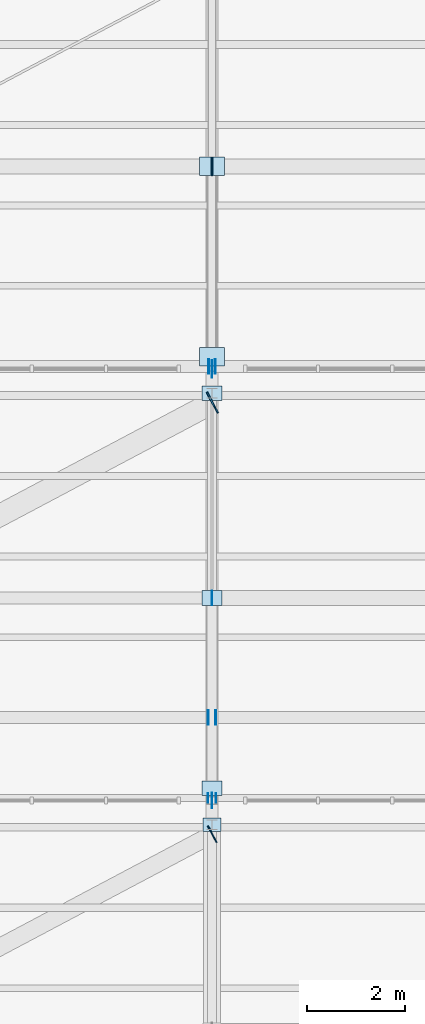
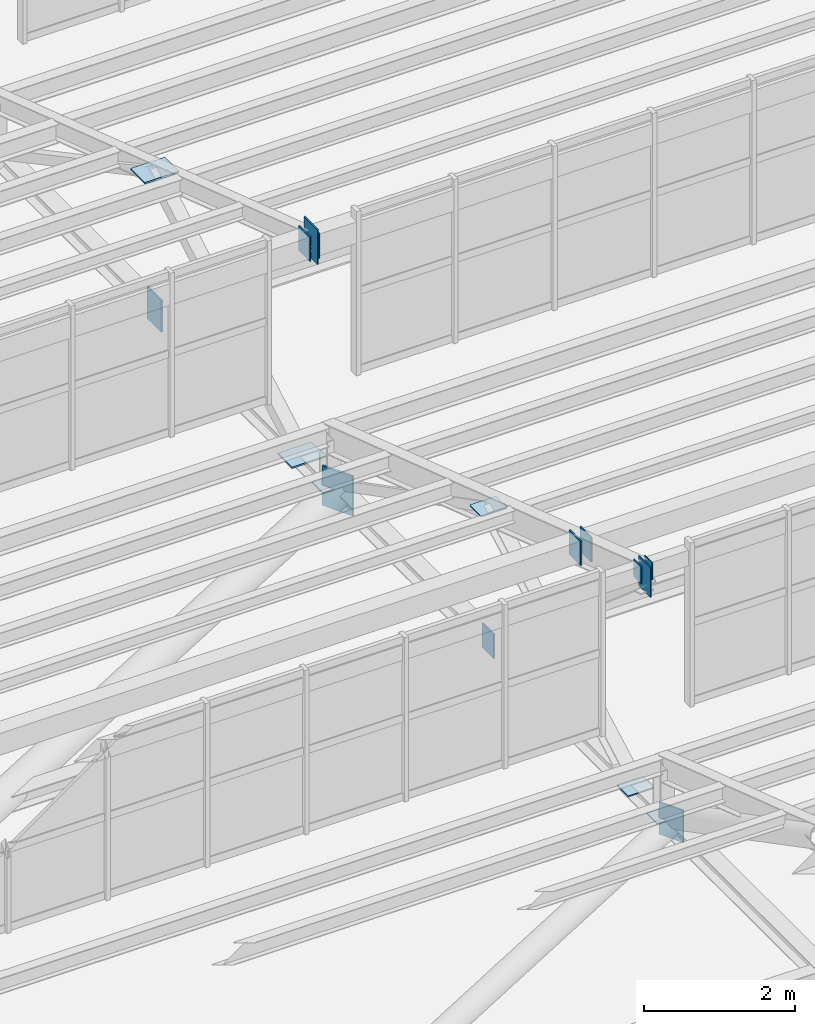
# One storey, part 195 of 285: 18 plates.
"""IFC4 building model written with IfcOpenShell, lengths in metres."""

import ifcopenshell
import ifcopenshell.guid

model = None  # the IFC model being written
_history = None  # IfcOwnerHistory: only IFC2X3 demands one
_inside = {}  # id of a spatial element -> (the spatial element, [elements in it])
_under = {}  # id of a project, library or spatial element -> (it, [spatial elements below it])
_declared = {}  # id of a project -> (the project, [libraries it declares])
_typed = {}  # id of a type object -> (the type object, [elements of that type])
_made_of = {}  # id of a material, layer set ... -> (it, [elements and type objects made of it])


def new_model(schema):
    """Start an empty IFC model of exactly this schema.

    Asked for "IFC4X3", IfcOpenShell would pick the latest addendum, in which some entities
    have other attributes; the version numbers below select the first issue.
    IFC2X3 requires an IfcOwnerHistory on every rooted entity: one is made here for all.
    """
    global model, _history
    if schema == "IFC4X3":
        model = ifcopenshell.file(schema_version=(4, 3, 0, 0))
    else:
        model = ifcopenshell.file(schema=schema)
    _inside.clear()
    _under.clear()
    _declared.clear()
    _typed.clear()
    _made_of.clear()
    _history = None
    if model.schema == "IFC2X3":
        org = make("IfcOrganization", Name="unknown")
        user = make(
            "IfcPersonAndOrganization",
            ThePerson=make("IfcPerson", FamilyName="unknown"),
            TheOrganization=org,
        )
        app = make(
            "IfcApplication",
            ApplicationDeveloper=org,
            Version="unknown",
            ApplicationFullName="unknown",
            ApplicationIdentifier="unknown",
        )
        _history = make(
            "IfcOwnerHistory",
            OwningUser=user,
            OwningApplication=app,
            ChangeAction="ADDED",
            CreationDate=0,
        )
    return model


def make(cls, **values):
    """One entity of the class cls with the attributes given. An attribute that is None is left unset."""
    return model.create_entity(
        cls, **{name: value for name, value in values.items() if value is not None}
    )


def rooted(cls, **values):
    """An entity with a GlobalId (a new one), such as an element, a storey or a relation."""
    return make(cls, GlobalId=ifcopenshell.guid.new(), OwnerHistory=_history, **values)


def si_unit(unit_type, name, prefix=None):
    """IfcSIUnit, for example si_unit("LENGTHUNIT", "METRE", prefix="MILLI")."""
    return make("IfcSIUnit", UnitType=unit_type, Prefix=prefix, Name=name)


def assignment(units):
    """IfcUnitAssignment: the units of a project."""
    return None if units is None else make("IfcUnitAssignment", Units=units)


def point(xyz):
    """IfcCartesianPoint."""
    return None if xyz is None else make("IfcCartesianPoint", Coordinates=xyz)


def direction(xyz):
    """IfcDirection."""
    return None if xyz is None else make("IfcDirection", DirectionRatios=xyz)


def frame(location, z_axis=None, x_axis=None):
    """IfcAxis2Placement3D, a coordinate frame: its origin and axes. An axis left out is left unset."""
    return make(
        "IfcAxis2Placement3D",
        Location=point(location),
        Axis=direction(z_axis),
        RefDirection=direction(x_axis),
    )


def frame_2d(location, x_axis=None):
    """IfcAxis2Placement2D, a coordinate frame in the plane: its origin and x axis."""
    return make(
        "IfcAxis2Placement2D", Location=point(location), RefDirection=direction(x_axis)
    )


def origin():
    """The frame at (0, 0, 0) with its axes left unset."""
    return frame((0.0, 0.0, 0.0))


def origin_2d():
    """The frame at (0, 0) in the plane with its x axis left unset."""
    return frame_2d((0.0, 0.0))


def place(relative_to, where):
    """IfcLocalPlacement: puts the frame where relative to a parent placement (None: the world)."""
    return make(
        "IfcLocalPlacement", PlacementRelTo=relative_to, RelativePlacement=where
    )


def context(
    kind, dimensions, precision=None, world=None, true_north=None, identifier=None
):
    """IfcGeometricRepresentationContext, for example the 3D "Model" context."""
    return make(
        "IfcGeometricRepresentationContext",
        ContextIdentifier=identifier,
        ContextType=kind,
        CoordinateSpaceDimension=dimensions,
        Precision=precision,
        WorldCoordinateSystem=world,
        TrueNorth=true_north,
    )


def subcontext(parent, identifier, kind, view, scale=None):
    """IfcGeometricRepresentationSubContext, for example "Body" below "Model"."""
    return make(
        "IfcGeometricRepresentationSubContext",
        ContextIdentifier=identifier,
        ContextType=kind,
        ParentContext=parent,
        TargetScale=scale,
        TargetView=view,
    )


def project(units=None, contexts=None):
    """IfcProject with its units and contexts."""
    return rooted(
        "IfcProject",
        Name="project",
        RepresentationContexts=contexts,
        UnitsInContext=assignment(units),
    )


def spatial(cls, under=None, at=None, **own):
    """A site, building, storey or space (cls), placed at a placement, below another one or the project."""
    s = rooted(cls, ObjectPlacement=at, **own)
    if under is not None:
        _under.setdefault(under.id(), (under, []))[1].append(s)
    return s


def profile(cls, at=None, kind="AREA", **sizes):
    """A parametric profile (cls). Its sizes go by their IFC names, for example OverallWidth=200.0."""
    return make(cls, ProfileType=kind, Position=at, **sizes)


def rectangle(**sizes):
    """IfcRectangleProfileDef."""
    return profile("IfcRectangleProfileDef", **sizes)


def extrude(swept, where, along, depth):
    """IfcExtrudedAreaSolid: the profile swept, set in the frame where, extruded along a direction by depth."""
    return make(
        "IfcExtrudedAreaSolid",
        SweptArea=swept,
        Position=where,
        ExtrudedDirection=direction(along),
        Depth=depth,
    )


def shape(context_of_items, identifier, shape_type, items):
    """IfcShapeRepresentation: the items that make up one representation, for example the "Body"."""
    return make(
        "IfcShapeRepresentation",
        ContextOfItems=context_of_items,
        RepresentationIdentifier=identifier,
        RepresentationType=shape_type,
        Items=items,
    )


def material(Name=None, Category=None):
    """IfcMaterial."""
    return make("IfcMaterial", Name=Name, Category=Category)


def layer(
    of_material, thickness, ventilated=None, Name=None, Category=None, Priority=None
):
    """IfcMaterialLayer: one layer of a wall or slab, of a material (None: an air gap)."""
    return make(
        "IfcMaterialLayer",
        Material=of_material,
        LayerThickness=thickness,
        IsVentilated=ventilated,
        Name=Name,
        Category=Category,
        Priority=Priority,
    )


def layer_set(layers, Name=None):
    """IfcMaterialLayerSet."""
    return make("IfcMaterialLayerSet", MaterialLayers=layers, LayerSetName=Name)


def made_of(thing, what):
    """Note that an element or type object is made of a material, layer set ...; save() writes the relation."""
    if what is not None:
        _made_of.setdefault(what.id(), (what, []))[1].append(thing)
    return thing


def type_object(cls, material=None, **own):
    """A type object (cls), such as IfcWallType, which elements share."""
    return made_of(rooted(cls, **own), material)


def element(
    cls,
    number,
    at=None,
    inside=None,
    cuts=None,
    type_object=None,
    material=None,
    context=None,
    identifier="Body",
    shape_type=None,
    held_by="IfcProductDefinitionShape",
    body=None,
    shapes=None,
    **own,
):
    """One element of the class cls, such as IfcWall. Its Tag is "e" and its number.

    at: its placement. inside: the storey or other place that contains it. cuts: it is an
    opening in that element (IfcRelVoidsElement). A single representation is given by context,
    identifier, shape_type and body (its items); several are given by shapes. held_by: the class
    of the entity that holds the representations. save() writes the other relations.
    """
    e = rooted(cls, Tag="e%d" % number, ObjectPlacement=at, **own)
    if body is not None:
        shapes = [shape(context, identifier, shape_type, body)]
    if shapes is not None:
        e.Representation = make(held_by, Representations=shapes)
    if inside is not None:
        _inside.setdefault(inside.id(), (inside, []))[1].append(e)
    if cuts is not None:
        rooted(
            "IfcRelVoidsElement", RelatingBuildingElement=cuts, RelatedOpeningElement=e
        )
    if type_object is not None:
        _typed.setdefault(type_object.id(), (type_object, []))[1].append(e)
    return made_of(e, material)


def aggregate(whole, parts):
    """IfcRelAggregates: a whole, such as a stair, and the parts it consists of."""
    return rooted("IfcRelAggregates", RelatingObject=whole, RelatedObjects=parts)


def save(model, path):
    """Write the relations noted so far, then the file.

    IfcRelAggregates (storeys below a building ...), IfcRelContainedInSpatialStructure (elements
    in a storey), IfcRelDefinesByType, IfcRelAssociatesMaterial and IfcRelDeclares: one each for
    every whole, place, type object, material and project.
    """
    for whole, parts in _under.values():
        aggregate(whole, parts)
    for where, things in _inside.values():
        rooted(
            "IfcRelContainedInSpatialStructure",
            RelatedElements=things,
            RelatingStructure=where,
        )
    for kind, things in _typed.values():
        rooted("IfcRelDefinesByType", RelatedObjects=things, RelatingType=kind)
    for what, things in _made_of.values():
        rooted("IfcRelAssociatesMaterial", RelatedObjects=things, RelatingMaterial=what)
    for by, libraries in _declared.values():
        rooted("IfcRelDeclares", RelatingContext=by, RelatedDefinitions=libraries)
    model.write(path)


model = new_model("IFC4")

# Units and contexts
model_context = context("Model", 3, precision=1e-05, world=origin(), true_north=direction((0.0, 1.0)))
body_context = subcontext(model_context, "Body", "Model", "MODEL_VIEW")
ifc_project = project(units=[si_unit("LENGTHUNIT", "METRE"), si_unit("AREAUNIT", "SQUARE_METRE"), si_unit("VOLUMEUNIT", "CUBIC_METRE"), si_unit("PLANEANGLEUNIT", "RADIAN"), si_unit("MASSUNIT", "GRAM", prefix="KILO")], contexts=[model_context])

# Site, building, storey
site_placement = place(None, origin())
site = spatial("IfcSite", under=ifc_project, at=site_placement, CompositionType="ELEMENT")
building_placement = place(site_placement, origin())
building = spatial("IfcBuilding", under=site, at=building_placement, Name="Solanera Park Tramway Depot", CompositionType="ELEMENT")
storey_placement = place(building_placement, origin())
storey = spatial("IfcBuildingStorey", under=building, at=storey_placement, Name="L00", CompositionType="ELEMENT", Elevation=0.0)

# Plates
ifc_material_1 = material(Name="Steel AS/NZS 3679.1 Grade 350", Category="steel")
ifc_layer_1 = layer(ifc_material_1, 0.013916015625)
ifc_layer_set_1 = layer_set([ifc_layer_1], Name="Steel AS/NZS 3679.1 Grade 350")
plate_type_1 = type_object("IfcPlateType", Name="Hollow End Cap and Base Plate 280x200x14", PredefinedType="USERDEFINED", material=ifc_layer_set_1)
for number, where, z_axis, x_axis, name in (
    (1, (29.915771484375, 64.64990234375, 10.0), (0.0, 0.0, 1.0), (1.0, 0.0, 0.0), "Hollow Section Welded End Cap Plate #0223"),
    (2, (30.084228515625, 64.64990234375, 10.0), (0.0, 0.0, 1.0), (1.0, 0.0, 0.0), "Hollow Section Welded End Cap Plate #0224"),
):
    element("IfcPlate", number, at=place(storey_placement, frame(where, z_axis=z_axis, x_axis=x_axis)), inside=storey, type_object=plate_type_1, Name=name, ObjectType="BASE PLATE", PredefinedType="USERDEFINED", context=body_context, shape_type="SweptSolid", body=[
        extrude(rectangle(XDim=0.013916015625, YDim=0.199951171875, at=origin_2d()), origin(), (0.0, 0.0, 1.0), 0.280029296875),
    ])
ifc_material_2 = material(Name="Steel AS/NZS 3679.1 Grade 350", Category="steel")
ifc_layer_2 = layer(ifc_material_2, 0.01806640625)
ifc_layer_set_2 = layer_set([ifc_layer_2], Name="Steel AS/NZS 3679.1 Grade 350")
plate_type_2 = type_object("IfcPlateType", Name="Hollow End Cap and Base Plate 360x280x18", PredefinedType="USERDEFINED", material=ifc_layer_set_2)
plate_1_placement = place(storey_placement, frame((30.0, 64.10009765625, 6.490966796875), z_axis=(0.0, 0.0, 1.0), x_axis=(1.0, 0.0, 0.0)))
element("IfcPlate", 3, at=plate_1_placement, inside=storey, type_object=plate_type_2, Name="Sawtooth Truss Node Cap Plate #0079", ObjectType="BASE PLATE", PredefinedType="USERDEFINED", context=body_context, shape_type="SweptSolid", body=[
    extrude(rectangle(XDim=0.360107421875, YDim=0.280029296875, at=origin_2d()), origin(), (0.0, 0.0, 1.0), 0.01806640625),
])
ifc_material_3 = material(Name="Steel AS/NZS 3679.1 Grade 350", Category="steel")
ifc_layer_3 = layer(ifc_material_3, 0.02001953125)
ifc_layer_set_3 = layer_set([ifc_layer_3], Name="Steel AS/NZS 3679.1 Grade 350")
plate_type_3 = type_object("IfcPlateType", Name="Hollow End Cap and Base Plate 400x300x20", PredefinedType="USERDEFINED", material=ifc_layer_set_3)
plate_2_placement = place(storey_placement, frame((30.0, 68.75, 6.300048828125), z_axis=(0.0, 0.0, 1.0), x_axis=(1.0, 0.0, 0.0)))
element("IfcPlate", 4, at=plate_2_placement, inside=storey, type_object=plate_type_3, Name="Sawtooth Truss Hollow End Cap #0183", ObjectType="BASE PLATE", PredefinedType="USERDEFINED", context=body_context, shape_type="SweptSolid", body=[
    extrude(rectangle(XDim=0.02001953125, YDim=0.300048828125, at=origin_2d()), origin(), (0.0, 0.0, 1.0), 0.39990234375),
])
for number, where, z_axis, x_axis, name in (
    (5, (30.0, 72.949951171875, 6.489990234375), (0.0, 0.0, 1.0), (1.0, 0.0, 0.0), "Sawtooth Truss Node Cap Plate #0184"),
    (6, (30.0, 68.75, 8.657470703125), (0.0, 0.0, 1.0), (1.0, 0.0, 0.0), "Sawtooth Truss Node Cap Plate #0185"),
    (7, (30.0, 64.85009765625, 6.489990234375), (0.0, 0.0, 1.0), (1.0, 0.0, 0.0), "Sawtooth Truss Node Cap Plate #0186"),
):
    element("IfcPlate", number, at=place(storey_placement, frame(where, z_axis=z_axis, x_axis=x_axis)), inside=storey, type_object=plate_type_3, Name=name, ObjectType="BASE PLATE", PredefinedType="USERDEFINED", context=body_context, shape_type="SweptSolid", body=[
        extrude(rectangle(XDim=0.39990234375, YDim=0.300048828125, at=origin_2d()), origin(), (0.0, 0.0, 1.0), 0.02001953125),
    ])
for number, where, z_axis, x_axis, name in (
    (8, (29.918701171875, 66.300048828125, 9.3212890625), (0.0, 0.0, 1.0), (1.0, 0.0, 0.0), "Hollow Section Welded End Cap Plate #0239"),
    (9, (30.081298828125, 66.300048828125, 9.3212890625), (0.0, 0.0, 1.0), (1.0, 0.0, 0.0), "Hollow Section Welded End Cap Plate #0240"),
    (10, (29.930908203125, 73.5, 9.873291015625), (0.0, 0.0, 1.0), (1.0, 0.0, 0.0), "Hollow Section Welded End Cap Plate #0324"),
    (11, (30.069091796875, 73.5, 9.873291015625), (0.0, 0.0, 1.0), (1.0, 0.0, 0.0), "Hollow Section Welded End Cap Plate #0325"),
):
    element("IfcPlate", number, at=place(storey_placement, frame(where, z_axis=z_axis, x_axis=x_axis)), inside=storey, type_object=plate_type_3, Name=name, ObjectType="BASE PLATE", PredefinedType="USERDEFINED", context=body_context, shape_type="SweptSolid", body=[
        extrude(rectangle(XDim=0.02001953125, YDim=0.300048828125, at=origin_2d()), origin(), (0.0, 0.0, 1.0), 0.39990234375),
    ])
ifc_material_4 = material(Name="Steel AS/NZS 3679.1 Grade 350", Category="steel")
ifc_layer_4 = layer(ifc_material_4, 0.02490234375)
ifc_layer_set_4 = layer_set([ifc_layer_4], Name="Steel AS/NZS 3679.1 Grade 350")
plate_type_4 = type_object("IfcPlateType", Name="Hollow End Cap and Base Plate 520x380x25", PredefinedType="USERDEFINED", material=ifc_layer_set_4)
for number, where, z_axis, x_axis, name in (
    (12, (30.005615234375, 63.904052734375, 6.239990234375), (0.0, 0.0, 1.0), (0.883520501477, 0.468392488698, 0.0), "Hollow Section Welded End Cap Plate #0166"),
    (13, (30.0, 77.60009765625, 6.239990234375), (0.0, 0.0, 1.0), (1.0, 0.0, 0.0), "Sawtooth Truss Hollow End Cap #0277"),
):
    element("IfcPlate", number, at=place(storey_placement, frame(where, z_axis=z_axis, x_axis=x_axis)), inside=storey, type_object=plate_type_4, Name=name, ObjectType="BASE PLATE", PredefinedType="USERDEFINED", context=body_context, shape_type="SweptSolid", body=[
        extrude(rectangle(XDim=0.02490234375, YDim=0.3798828125, at=origin_2d()), origin(), (0.0, 0.0, 1.0), 0.52001953125),
    ])
for number, where, z_axis, x_axis, name in (
    (14, (30.0, 77.60009765625, 8.730224609375), (0.0, 0.0, 1.0), (1.0, 0.0, 0.0), "Sawtooth Truss Node Cap Plate #0279"),
    (15, (30.0, 73.699951171875, 6.487548828125), (0.0, 0.0, 1.0), (1.0, 0.0, 0.0), "Sawtooth Truss Node Cap Plate #0280"),
):
    element("IfcPlate", number, at=place(storey_placement, frame(where, z_axis=z_axis, x_axis=x_axis)), inside=storey, type_object=plate_type_4, Name=name, ObjectType="BASE PLATE", PredefinedType="USERDEFINED", context=body_context, shape_type="SweptSolid", body=[
        extrude(rectangle(XDim=0.52001953125, YDim=0.3798828125, at=origin_2d()), origin(), (0.0, 0.0, 1.0), 0.02490234375),
    ])
ifc_material_5 = material(Name="Steel AS/NZS 3679.1 Grade 350", Category="steel")
ifc_layer_5 = layer(ifc_material_5, 0.031982421875)
ifc_layer_set_5 = layer_set([ifc_layer_5], Name="Steel AS/NZS 3679.1 Grade 350")
plate_type_5 = type_object("IfcPlateType", Name="Hollow End Cap and Base Plate 640x480x32", PredefinedType="USERDEFINED", material=ifc_layer_set_5)
plate_3_placement = place(storey_placement, frame((30.008544921875, 72.755615234375, 6.18017578125), z_axis=(0.0, 0.0, 1.0), x_axis=(0.883520501477, 0.468392488698, 0.0)))
element("IfcPlate", 16, at=plate_3_placement, inside=storey, type_object=plate_type_5, Name="Hollow Section Welded End Cap Plate #0255", ObjectType="BASE PLATE", PredefinedType="USERDEFINED", context=body_context, shape_type="SweptSolid", body=[
    extrude(rectangle(XDim=0.031982421875, YDim=0.47998046875, at=origin_2d()), origin(), (0.0, 0.0, 1.0), 0.639892578125),
])
ifc_material_6 = material(Name="Steel AS/NZS 3679.1 Grade 350", Category="steel")
ifc_layer_6 = layer(ifc_material_6, 0.01806640625)
ifc_layer_set_6 = layer_set([ifc_layer_6], Name="Steel AS/NZS 3679.1 Grade 350")
plate_type_6 = type_object("IfcPlateType", Name="Truss Node Gusset Stiffener 480x320x18", PredefinedType="SHEET", material=ifc_layer_set_6)
plate_4_placement = place(storey_placement, frame((30.0, 64.60009765625, 9.816162109375), z_axis=(0.0, 0.0, 1.0), x_axis=(1.0, 0.0, 0.0)))
element("IfcPlate", 17, at=plate_4_placement, inside=storey, type_object=plate_type_6, Name="Sawtooth Truss Apex Gusset Plate #0182", PredefinedType="SHEET", context=body_context, shape_type="SweptSolid", body=[
    extrude(rectangle(XDim=0.01806640625, YDim=0.320068359375, at=origin_2d()), origin(), (0.0, 0.0, 1.0), 0.47998046875),
])
ifc_material_7 = material(Name="Steel AS/NZS 3679.1 Grade 350", Category="steel")
ifc_layer_7 = layer(ifc_material_7, 0.02001953125)
ifc_layer_set_7 = layer_set([ifc_layer_7], Name="Steel AS/NZS 3679.1 Grade 350")
plate_type_7 = type_object("IfcPlateType", Name="Truss Node Gusset Stiffener 560x360x20", PredefinedType="SHEET", material=ifc_layer_set_7)
plate_5_placement = place(storey_placement, frame((30.0, 73.449951171875, 9.85107421875), z_axis=(0.0, 0.0, 1.0), x_axis=(1.0, 0.0, 0.0)))
element("IfcPlate", 18, at=plate_5_placement, inside=storey, type_object=plate_type_7, Name="Sawtooth Truss Apex Gusset Plate #0276", PredefinedType="SHEET", context=body_context, shape_type="SweptSolid", body=[
    extrude(rectangle(XDim=0.02001953125, YDim=0.360107421875, at=origin_2d()), origin(), (0.0, 0.0, 1.0), 0.56005859375),
])

save(model, "model.ifc")
